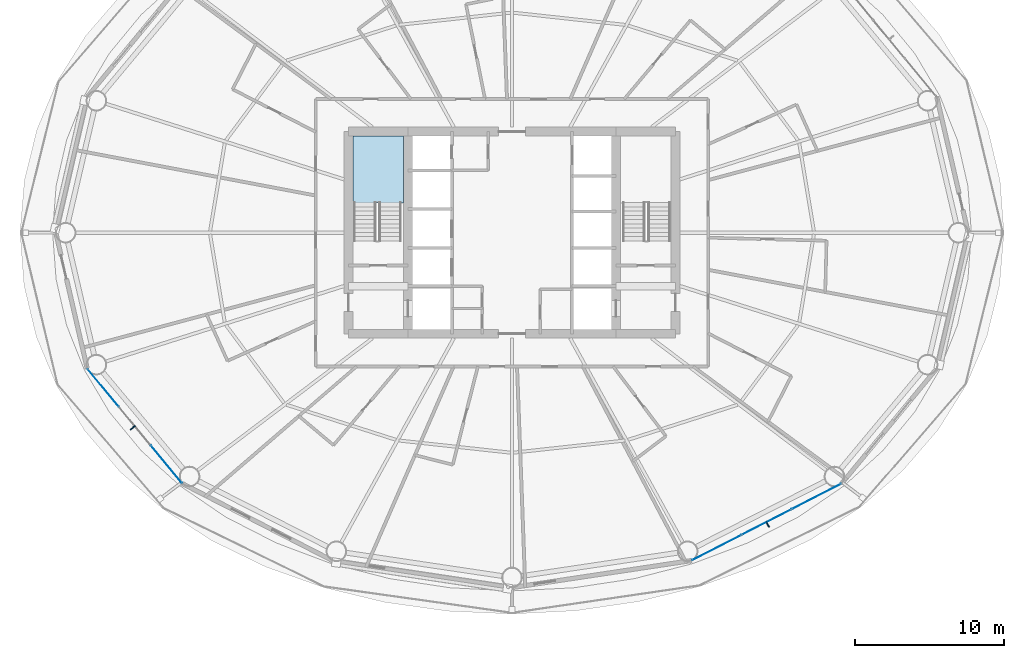
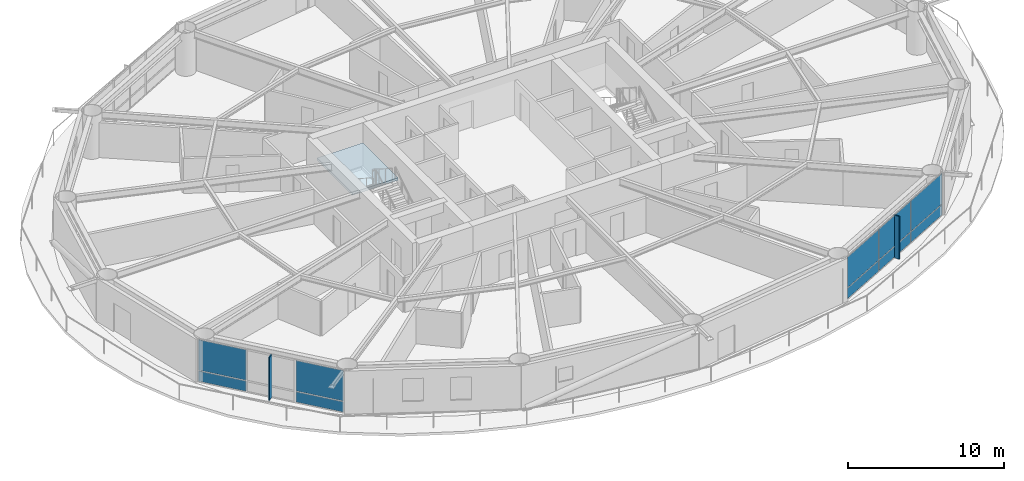
# One storey, part 16 of 26: 12 plates, 1 slab, 3 elements without a shape of their own.
"""IFC4 building model written with IfcOpenShell, lengths in metres."""

from ifc_helpers import new_model, si_unit, direction, frame, origin, origin_2d, place, context, subcontext, project, spatial, polyline, rectangle, outline, extrude, material, layer, layer_set, type_object, element, aggregate, save


model = new_model("IFC4")

# Units and contexts
model_context = context("Model", 3, precision=1e-05, world=origin(), true_north=direction((0.0, 1.0)))
body_context = subcontext(model_context, "Body", "Model", "MODEL_VIEW")
ifc_project = project(units=[si_unit("LENGTHUNIT", "METRE"), si_unit("AREAUNIT", "SQUARE_METRE"), si_unit("VOLUMEUNIT", "CUBIC_METRE"), si_unit("PLANEANGLEUNIT", "RADIAN"), si_unit("MASSUNIT", "GRAM", prefix="KILO")], contexts=[model_context])

# Site, building, storey
site_placement = place(None, origin())
site = spatial("IfcSite", under=ifc_project, at=site_placement, CompositionType="ELEMENT")
building_placement = place(site_placement, origin())
building = spatial("IfcBuilding", under=site, at=building_placement, Name="Sarneth Arch Tower", CompositionType="ELEMENT")
storey_placement = place(building_placement, frame((0.0, 0.0, 46.199951171875)))
storey = spatial("IfcBuildingStorey", under=building, at=storey_placement, Name="L10", CompositionType="ELEMENT", Elevation=46.199951171875)

# Curtain wall, plates
ifc_material_1 = material(Name="Anodised aluminium Type AA25 and solar-control low-e laminated IGU", Category="aluminium")
ifc_layer_1 = layer(ifc_material_1, 0.159912109375)
ifc_layer_set_1 = layer_set([ifc_layer_1], Name="Anodised aluminium Type AA25 and solar-control low-e laminated IGU")
curtain_wall_type = type_object("IfcCurtainWallType", Name="CW-HOTEL-LOW", PredefinedType="NOTDEFINED", material=ifc_layer_set_1)
curtain_wall_1_placement = place(storey_placement, origin())
curtain_wall_1 = element("IfcCurtainWall", 1, at=curtain_wall_1_placement, inside=storey, type_object=curtain_wall_type, Name="L10 Unitised curtain wall facet 10", PredefinedType="NOTDEFINED")
ifc_material_2 = material(Name="Solar-control low-e laminated IGU", Category="glass")
ifc_layer_2 = layer(ifc_material_2, 0.028076171875)
ifc_layer_set_2 = layer_set([ifc_layer_2], Name="Solar-control low-e laminated IGU")
plate_type_1 = type_object("IfcPlateType", Name="CW-PANEL", PredefinedType="CURTAIN_PANEL", material=ifc_layer_set_2)
plate_1_placement = place(storey_placement, frame((20.496337890625, 31.558837890625, 0.06005859375), z_axis=(0.0, 0.0, 1.0), x_axis=(0.637291340827, -0.770622960278, 0.0)))
plate_1 = element("IfcPlate", 2, at=plate_1_placement, type_object=plate_type_1, Name="Curtain wall glazed vision pane CW-L10-F10/P00-00", PredefinedType="CURTAIN_PANEL", context=body_context, shape_type="SweptSolid", body=[
    extrude(rectangle(XDim=3.260986328125, YDim=0.028076171875, at=origin_2d()), origin(), (0.0, 0.0, 1.0), 0.81005859375),
])
plate_2_placement = place(storey_placement, frame((20.496337890625, 31.558837890625, 0.93017578125), z_axis=(0.0, 0.0, 1.0), x_axis=(0.637291340827, -0.770622960278, 0.0)))
plate_2 = element("IfcPlate", 3, at=plate_2_placement, type_object=plate_type_1, Name="Curtain wall glazed vision pane CW-L10-F10/P00-01", PredefinedType="CURTAIN_PANEL", context=body_context, shape_type="SweptSolid", body=[
    extrude(rectangle(XDim=3.260986328125, YDim=0.028076171875, at=origin_2d()), origin(), (0.0, 0.0, 1.0), 2.389892578125),
])
plate_3_placement = place(storey_placement, frame((24.74853515625, 26.4169921875, 0.06005859375), z_axis=(0.0, 0.0, 1.0), x_axis=(0.637291340827, -0.770622960278, 0.0)))
plate_3 = element("IfcPlate", 4, at=plate_3_placement, type_object=plate_type_1, Name="Curtain wall glazed vision pane CW-L10-F10/P02-00", PredefinedType="CURTAIN_PANEL", context=body_context, shape_type="SweptSolid", body=[
    extrude(rectangle(XDim=3.260986328125, YDim=0.028076171875, at=origin_2d()), origin(), (0.0, 0.0, 1.0), 0.81005859375),
])
plate_4_placement = place(storey_placement, frame((24.74853515625, 26.4169921875, 0.93017578125), z_axis=(0.0, 0.0, 1.0), x_axis=(0.637291340827, -0.770622960278, 0.0)))
plate_4 = element("IfcPlate", 5, at=plate_4_placement, type_object=plate_type_1, Name="Curtain wall glazed vision pane CW-L10-F10/P02-01", PredefinedType="CURTAIN_PANEL", context=body_context, shape_type="SweptSolid", body=[
    extrude(rectangle(XDim=3.260986328125, YDim=0.028076171875, at=origin_2d()), origin(), (0.0, 0.0, 1.0), 2.389892578125),
])
aggregate(curtain_wall_1, [plate_1, plate_2, plate_3, plate_4])

curtain_wall_2_placement = place(storey_placement, origin())
curtain_wall_2 = element("IfcCurtainWall", 6, at=curtain_wall_2_placement, inside=storey, type_object=curtain_wall_type, Name="L10 Unitised curtain wall facet 14", PredefinedType="NOTDEFINED")
plate_5_placement = place(storey_placement, frame((61.77392578125, 20.807373046875, 0.06005859375), z_axis=(0.0, 0.0, 1.0), x_axis=(0.889854100456, 0.456245197127, 0.0)))
plate_5 = element("IfcPlate", 7, at=plate_5_placement, type_object=plate_type_1, Name="Curtain wall glazed vision pane CW-L10-F14/P00-00", PredefinedType="CURTAIN_PANEL", context=body_context, shape_type="SweptSolid", body=[
    extrude(rectangle(XDim=3.69189453125, YDim=0.028076171875, at=origin_2d()), origin(), (0.0, 0.0, 1.0), 0.81005859375),
])
plate_6_placement = place(storey_placement, frame((61.77392578125, 20.807373046875, 0.93017578125), z_axis=(0.0, 0.0, 1.0), x_axis=(0.889854100456, 0.456245197127, 0.0)))
plate_6 = element("IfcPlate", 8, at=plate_6_placement, type_object=plate_type_1, Name="Curtain wall glazed vision pane CW-L10-F14/P00-01", PredefinedType="CURTAIN_PANEL", context=body_context, shape_type="SweptSolid", body=[
    extrude(rectangle(XDim=3.69189453125, YDim=0.028076171875, at=origin_2d()), origin(), (0.0, 0.0, 1.0), 2.389892578125),
])
plate_7_placement = place(storey_placement, frame((65.1259765625, 22.526123046875, 0.06005859375), z_axis=(0.0, 0.0, 1.0), x_axis=(0.889854100456, 0.456245197127, 0.0)))
plate_7 = element("IfcPlate", 9, at=plate_7_placement, type_object=plate_type_1, Name="Curtain wall glazed vision pane CW-L10-F14/P01-00", PredefinedType="CURTAIN_PANEL", context=body_context, shape_type="SweptSolid", body=[
    extrude(rectangle(XDim=3.721923828125, YDim=0.028076171875, at=origin_2d()), origin(), (0.0, 0.0, 1.0), 0.81005859375),
])
plate_8_placement = place(storey_placement, frame((65.1259765625, 22.526123046875, 0.93017578125), z_axis=(0.0, 0.0, 1.0), x_axis=(0.889854100456, 0.456245197127, 0.0)))
plate_8 = element("IfcPlate", 10, at=plate_8_placement, type_object=plate_type_1, Name="Curtain wall glazed vision pane CW-L10-F14/P01-01", PredefinedType="CURTAIN_PANEL", context=body_context, shape_type="SweptSolid", body=[
    extrude(rectangle(XDim=3.721923828125, YDim=0.028076171875, at=origin_2d()), origin(), (0.0, 0.0, 1.0), 2.389892578125),
])
plate_9_placement = place(storey_placement, frame((68.47802734375, 24.24462890625, 0.06005859375), z_axis=(0.0, 0.0, 1.0), x_axis=(0.889854100456, 0.456245197127, 0.0)))
plate_9 = element("IfcPlate", 11, at=plate_9_placement, type_object=plate_type_1, Name="Curtain wall glazed vision pane CW-L10-F14/P02-00", PredefinedType="CURTAIN_PANEL", context=body_context, shape_type="SweptSolid", body=[
    extrude(rectangle(XDim=3.69189453125, YDim=0.028076171875, at=origin_2d()), origin(), (0.0, 0.0, 1.0), 0.81005859375),
])
plate_10_placement = place(storey_placement, frame((68.47802734375, 24.24462890625, 0.93017578125), z_axis=(0.0, 0.0, 1.0), x_axis=(0.889854100456, 0.456245197127, 0.0)))
plate_10 = element("IfcPlate", 12, at=plate_10_placement, type_object=plate_type_1, Name="Curtain wall glazed vision pane CW-L10-F14/P02-01", PredefinedType="CURTAIN_PANEL", context=body_context, shape_type="SweptSolid", body=[
    extrude(rectangle(XDim=3.69189453125, YDim=0.028076171875, at=origin_2d()), origin(), (0.0, 0.0, 1.0), 2.389892578125),
])
aggregate(curtain_wall_2, [plate_5, plate_6, plate_7, plate_8, plate_9, plate_10])

# Plates
ifc_material_3 = material(Name="Extruded glazed terracotta baguette fin on Aluminium 6063-T6 carrier", Category="masonry")
ifc_layer_3 = layer(ifc_material_3, 0.080078125)
ifc_layer_set_3 = layer_set([ifc_layer_3], Name="Extruded glazed terracotta baguette fin on Aluminium 6063-T6 carrier")
plate_type_2 = type_object("IfcPlateType", Name="SHADE-TERRA-FIN", PredefinedType="SHEET", material=ifc_layer_set_3)
for number, where, z_axis, x_axis, name in (
    (13, (22.491455078125, 28.879638671875, 0.009765625), (0.0, 0.0, 1.0), (-0.770624482513, -0.637289500111, 0.0), "L10 Terracotta vertical shading fin 10"),
    (14, (65.20361328125, 22.374755859375, 0.009765625), (0.0, 0.0, 1.0), (0.4563215909, -0.889814927768, 0.0), "L10 Terracotta vertical shading fin 14"),
):
    element("IfcPlate", number, at=place(storey_placement, frame(where, z_axis=z_axis, x_axis=x_axis)), inside=storey, type_object=plate_type_2, Name=name, PredefinedType="SHEET", context=body_context, shape_type="SweptSolid", body=[
        extrude(rectangle(XDim=0.419921875, YDim=0.080078125, at=origin_2d()), origin(), (0.0, 0.0, 1.0), 3.360107421875),
    ])

# Stair, slab
ifc_material_4 = material(Name="Concrete C50/60", Category="concrete")
stair_type = type_object("IfcStairType", Name="STAIR-CORE-RC", PredefinedType="HALF_TURN_STAIR", material=ifc_material_4)
stair_placement = place(storey_placement, origin())
stair = element("IfcStair", 15, at=stair_placement, inside=storey, type_object=stair_type, Name="L10 Core Exit Stair 1", PredefinedType="HALF_TURN_STAIR")
ifc_material_5 = material(Name="Concrete C50/60", Category="concrete")
ifc_layer_4 = layer(ifc_material_5, 0.199951171875)
ifc_layer_set_4 = layer_set([ifc_layer_4], Name="Concrete C50/60")
slab_type = type_object("IfcSlabType", Name="SLAB-LANDING-200", PredefinedType="LANDING", material=ifc_layer_set_4)
slab_placement = place(storey_placement, frame((0.0, 0.0, 1.60009765625)))
slab = element("IfcSlab", 16, at=slab_placement, type_object=slab_type, Name="ST-1 landing 1", PredefinedType="LANDING", context=body_context, shape_type="SweptSolid", body=[
    extrude(outline(polyline([(37.300048828125, 43.985107421875), (40.699951171875, 43.985107421875), (40.699951171875, 48.5), (37.300048828125, 48.5), (37.300048828125, 43.985107421875)])), origin(), (0.0, 0.0, 1.0), 0.199951171875),
])
aggregate(stair, [slab])

save(model, "model.ifc")
